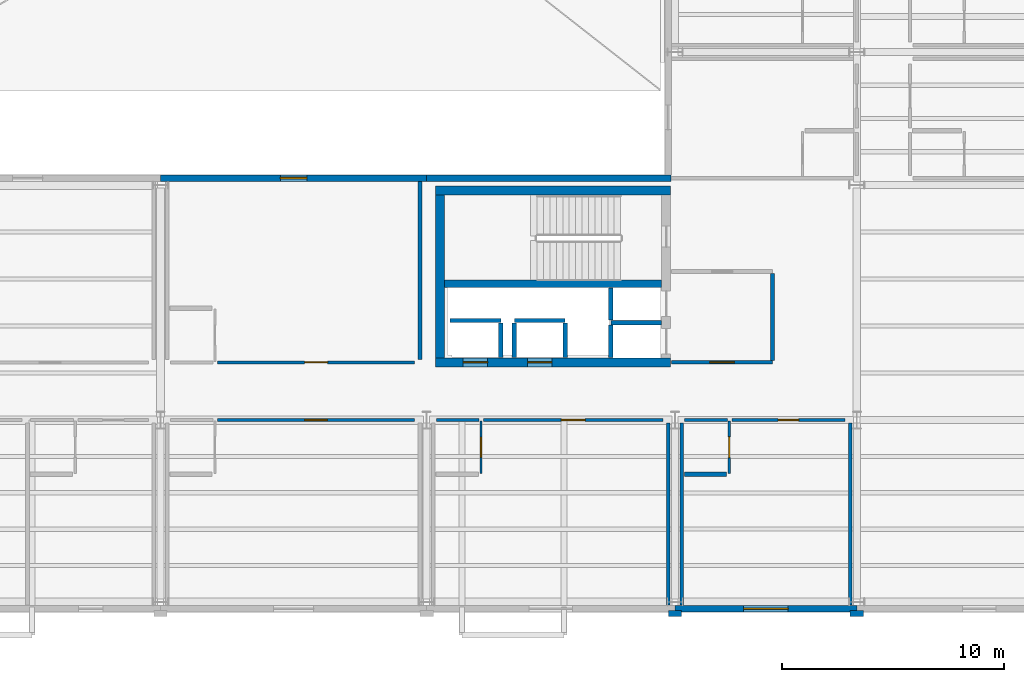
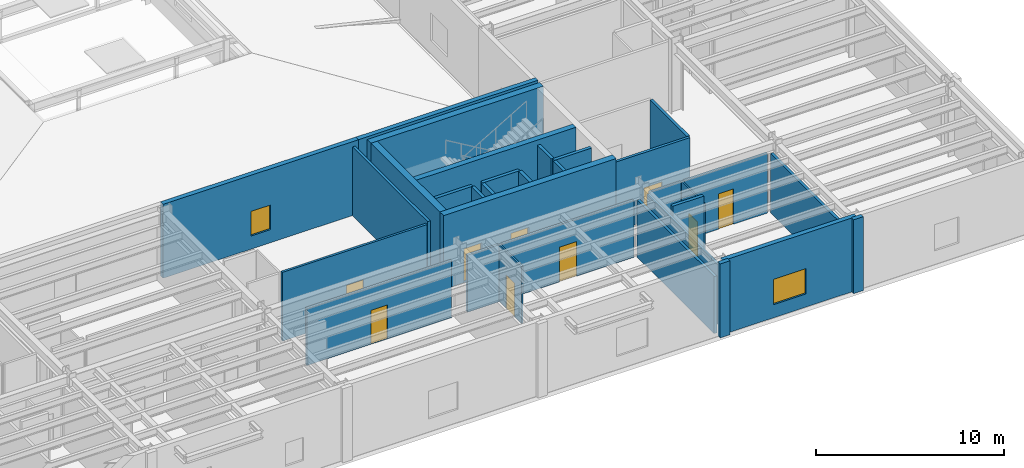
# One storey, part 77 of 91: 32 walls, 9 doors, 2 windows, 11 openings.
"""IFC4 building model written with IfcOpenShell, lengths in metres."""

from ifc_helpers import new_model, si_unit, direction, frame, frame_2d, origin, place, context, subcontext, project, spatial, rectangle, extrude, material, layer, layer_set, type_object, element, fill, save


model = new_model("IFC4")

# Units and contexts
model_context = context("Model", 3, precision=1e-05, world=origin(), true_north=direction((0.0, 1.0)))
body_context = subcontext(model_context, "Body", "Model", "MODEL_VIEW")
ifc_project = project(units=[si_unit("LENGTHUNIT", "METRE"), si_unit("AREAUNIT", "SQUARE_METRE"), si_unit("VOLUMEUNIT", "CUBIC_METRE"), si_unit("PLANEANGLEUNIT", "RADIAN"), si_unit("MASSUNIT", "GRAM", prefix="KILO")], contexts=[model_context])

# Site, building, storey
site_placement = place(None, origin())
site = spatial("IfcSite", under=ifc_project, at=site_placement, CompositionType="ELEMENT")
building_placement = place(site_placement, origin())
building = spatial("IfcBuilding", under=site, at=building_placement, Name="Sollismere Congress Hotel", CompositionType="ELEMENT")
storey_placement = place(building_placement, frame((0.0, 0.0, 10.800048828125)))
storey = spatial("IfcBuildingStorey", under=building, at=storey_placement, Name="L02", CompositionType="ELEMENT", Elevation=10.800048828125)

# Wall, opening, window
ifc_material_1 = material(Name="Colorado Buff Sandstone Rainscreen on Insulated Backup", Category="masonry")
ifc_layer_1 = layer(ifc_material_1, 0.284912109375, Name="Colorado Buff Sandstone Rainscreen on Insulated Backup")
ifc_layer_set_1 = layer_set([ifc_layer_1], Name="Colorado Buff Sandstone Rainscreen on Insulated Backup")
wall_type_1 = type_object("IfcWallType", Name="WL-EXT285", PredefinedType="STANDARD", material=ifc_layer_set_1)
wall_1_placement = place(storey_placement, frame((147.199951171875, -0.31005859375, 0.0), z_axis=(0.0, 0.0, 1.0), x_axis=(1.0, 0.0, 0.0)))
wall_1 = element("IfcWall", 1, at=wall_1_placement, inside=storey, type_object=wall_type_1, Name="Exterior wall EW-L02-350", PredefinedType="STANDARD", context=body_context, shape_type="SweptSolid", body=[
    extrude(rectangle(XDim=8.199951171875, YDim=0.284912109375, at=frame_2d((4.10009765625, 0.0))), origin(), (0.0, 0.0, 1.0), 4.800048828125),
])
opening_1_placement = place(wall_1_placement, frame((3.10009765625, 0.0, 0.85009765625)))
opening_1 = element("IfcOpeningElement", 2, at=opening_1_placement, cuts=wall_1, Name="Opening W-L02-281", PredefinedType="OPENING", context=body_context, shape_type="SweptSolid", body=[
    extrude(rectangle(XDim=2.0, YDim=1.64990234375, at=frame_2d((1.0, 0.824951171875))), frame((0.0, 0.15234375, 0.0), z_axis=(0.0, -1.0, 0.0), x_axis=(1.0, 0.0, 0.0)), (0.0, 0.0, 1.0), 0.304931640625),
])
ifc_material_2 = material(Name="Thermally Broken Bronze Aluminum & Low-E Glass", Category="aluminium")
window_type_1 = type_object("IfcWindowType", Name="WN-P200x165", PartitioningType="SINGLE_PANEL", PredefinedType="WINDOW", material=ifc_material_2)
window_1_placement = place(opening_1_placement, origin())
window_1 = element("IfcWindow", 3, at=window_1_placement, inside=storey, type_object=window_type_1, Name="WIN-W-L02-281", OverallHeight=1.64990234375, OverallWidth=2.0, PartitioningType="SINGLE_PANEL", PredefinedType="WINDOW", context=body_context, shape_type="SweptSolid", body=[
    extrude(rectangle(XDim=2.0, YDim=1.64990234375, at=frame_2d((1.0, 0.824951171875))), frame((0.0, 0.030029296875, 0.0), z_axis=(0.0, -1.0, 0.0), x_axis=(1.0, 0.0, 0.0)), (0.0, 0.0, 1.0), 0.06005859375),
])
fill(opening_1, window_1)

wall_2_placement = place(storey_placement, frame((136.0, 19.110107421875, 0.0), z_axis=(0.0, 0.0, 1.0), x_axis=(-1.0, 0.0, 0.0)))
wall_2 = element("IfcWall", 4, at=wall_2_placement, inside=storey, type_object=wall_type_1, Name="Exterior wall EW-L02-377", PredefinedType="STANDARD", context=body_context, shape_type="SweptSolid", body=[
    extrude(rectangle(XDim=12.0, YDim=0.284912109375, at=frame_2d((6.0, 0.0))), origin(), (0.0, 0.0, 1.0), 4.800048828125),
])
opening_2_placement = place(wall_2_placement, frame((5.39990234375, 0.0, 0.85009765625)))
opening_2 = element("IfcOpeningElement", 5, at=opening_2_placement, cuts=wall_2, Name="Opening W-L02-298", PredefinedType="OPENING", context=body_context, shape_type="SweptSolid", body=[
    extrude(rectangle(XDim=1.199951171875, YDim=1.60009765625, at=frame_2d((0.60009765625, 0.800048828125))), frame((0.0, 0.15234375, 0.0), z_axis=(0.0, -1.0, 0.0), x_axis=(1.0, 0.0, 0.0)), (0.0, 0.0, 1.0), 0.304931640625),
])
window_type_2 = type_object("IfcWindowType", Name="WN-P120x160", PartitioningType="SINGLE_PANEL", PredefinedType="WINDOW", material=ifc_material_2)
window_2_placement = place(opening_2_placement, origin())
window_2 = element("IfcWindow", 6, at=window_2_placement, inside=storey, type_object=window_type_2, Name="WIN-W-L02-298", OverallHeight=1.60009765625, OverallWidth=1.199951171875, PartitioningType="SINGLE_PANEL", PredefinedType="WINDOW", context=body_context, shape_type="SweptSolid", body=[
    extrude(rectangle(XDim=1.199951171875, YDim=1.60009765625, at=frame_2d((0.60009765625, 0.800048828125))), frame((0.0, 0.030029296875, 0.0), z_axis=(0.0, -1.0, 0.0), x_axis=(1.0, 0.0, 0.0)), (0.0, 0.0, 1.0), 0.06005859375),
])
fill(opening_2, window_2)

# Walls
wall_3_placement = place(storey_placement, frame((147.030029296875, 19.110107421875, 0.0), z_axis=(0.0, 0.0, 1.0), x_axis=(-1.0, 0.0, 0.0)))
element("IfcWall", 7, at=wall_3_placement, inside=storey, type_object=wall_type_1, Name="Exterior wall EW-L02-378", PredefinedType="STANDARD", context=body_context, shape_type="SweptSolid", body=[
    extrude(rectangle(XDim=11.030029296875, YDim=0.284912109375, at=frame_2d((5.51513671875, 0.0))), origin(), (0.0, 0.0, 1.0), 4.800048828125),
])
ifc_material_3 = material(Name="Carved Travertine Pilaster & Frieze Assembly", Category="masonry")
ifc_layer_2 = layer(ifc_material_3, 0.260009765625, Name="Carved Travertine Pilaster & Frieze Assembly")
ifc_layer_set_2 = layer_set([ifc_layer_2], Name="Carved Travertine Pilaster & Frieze Assembly")
wall_type_2 = type_object("IfcWallType", Name="WL-PIL280", PredefinedType="ELEMENTEDWALL", material=ifc_layer_set_2)
wall_4_placement = place(storey_placement, frame((146.89990234375, -0.52001953125, 0.0), z_axis=(0.0, 0.0, 1.0), x_axis=(1.0, 0.0, 0.0)))
element("IfcWall", 8, at=wall_4_placement, inside=storey, type_object=wall_type_2, Name="Exterior wall EW-L02-351", PredefinedType="ELEMENTEDWALL", context=body_context, shape_type="SweptSolid", body=[
    extrude(rectangle(XDim=0.60009765625, YDim=0.260009765625, at=frame_2d((0.300048828125, 0.0))), origin(), (0.0, 0.0, 1.0), 4.800048828125),
])
wall_5_placement = place(storey_placement, frame((155.10009765625, -0.52001953125, 0.0), z_axis=(0.0, 0.0, 1.0), x_axis=(1.0, 0.0, 0.0)))
element("IfcWall", 9, at=wall_5_placement, inside=storey, type_object=wall_type_2, Name="Exterior wall EW-L02-353", PredefinedType="ELEMENTEDWALL", context=body_context, shape_type="SweptSolid", body=[
    extrude(rectangle(XDim=0.599853515625, YDim=0.260009765625, at=frame_2d((0.2998046875, 0.0))), origin(), (0.0, 0.0, 1.0), 4.800048828125),
])
ifc_material_4 = material(Name="Moisture-Resistant Shaft Gypsum Assembly")
ifc_layer_3 = layer(ifc_material_4, 0.199951171875, Name="Moisture-Resistant Shaft Gypsum Assembly")
ifc_layer_set_3 = layer_set([ifc_layer_3], Name="Moisture-Resistant Shaft Gypsum Assembly")
wall_type_3 = type_object("IfcWallType", Name="WL-PLM200", PredefinedType="PLUMBINGWALL", material=ifc_layer_set_3)
wall_6_placement = place(storey_placement, frame((137.054931640625, 12.68994140625, 0.0), z_axis=(0.0, 0.0, 1.0), x_axis=(1.0, 0.0, 0.0)))
element("IfcWall", 10, at=wall_6_placement, inside=storey, type_object=wall_type_3, Name="Interior wall IW-L02-0054", PredefinedType="PLUMBINGWALL", context=body_context, shape_type="SweptSolid", body=[
    extrude(rectangle(XDim=2.2900390625, YDim=0.199951171875, at=frame_2d((1.14501953125, 0.0))), origin(), (0.0, 0.0, 1.0), 4.474853515625),
])
wall_7_placement = place(storey_placement, frame((139.344970703125, 11.011962890625, 0.0), z_axis=(0.0, 0.0, 1.0), x_axis=(0.0, 1.0, 0.0)))
element("IfcWall", 11, at=wall_7_placement, inside=storey, type_object=wall_type_3, Name="Interior wall IW-L02-0055", PredefinedType="PLUMBINGWALL", context=body_context, shape_type="SweptSolid", body=[
    extrude(rectangle(XDim=1.56591796875, YDim=0.199951171875, at=frame_2d((0.782958984375, 0.0))), origin(), (0.0, 0.0, 1.0), 4.474853515625),
])
wall_8_placement = place(storey_placement, frame((139.955078125, 12.68994140625, 0.0), z_axis=(0.0, 0.0, 1.0), x_axis=(1.0, 0.0, 0.0)))
element("IfcWall", 12, at=wall_8_placement, inside=storey, type_object=wall_type_3, Name="Interior wall IW-L02-0056", PredefinedType="PLUMBINGWALL", context=body_context, shape_type="SweptSolid", body=[
    extrude(rectangle(XDim=2.2900390625, YDim=0.199951171875, at=frame_2d((1.14501953125, 0.0))), origin(), (0.0, 0.0, 1.0), 4.474853515625),
])
for number, where, z_axis, x_axis, name in (
    (13, (139.955078125, 11.011962890625, 0.0), (0.0, 0.0, 1.0), (0.0, 1.0, 0.0), "Interior wall IW-L02-0057"),
    (14, (142.2451171875, 11.011962890625, 0.0), (0.0, 0.0, 1.0), (0.0, 1.0, 0.0), "Interior wall IW-L02-0058"),
):
    element("IfcWall", number, at=place(storey_placement, frame(where, z_axis=z_axis, x_axis=x_axis)), inside=storey, type_object=wall_type_3, Name=name, PredefinedType="PLUMBINGWALL", context=body_context, shape_type="SweptSolid", body=[
        extrude(rectangle(XDim=1.56591796875, YDim=0.199951171875, at=frame_2d((0.782958984375, 0.0))), origin(), (0.0, 0.0, 1.0), 4.474853515625),
    ])
wall_9_placement = place(storey_placement, frame((144.31005859375, 12.594970703125, 0.0), z_axis=(0.0, 0.0, 1.0), x_axis=(1.0, 0.0, 0.0)))
element("IfcWall", 15, at=wall_9_placement, inside=storey, type_object=wall_type_3, Name="Interior wall IW-L02-0059", PredefinedType="PLUMBINGWALL", context=body_context, shape_type="SweptSolid", body=[
    extrude(rectangle(XDim=2.27783203125, YDim=0.199951171875, at=frame_2d((1.138916015625, 0.0))), origin(), (0.0, 0.0, 1.0), 4.474853515625),
])
wall_10_placement = place(storey_placement, frame((144.31005859375, 11.011962890625, 0.0), z_axis=(0.0, 0.0, 1.0), x_axis=(0.0, 1.0, 0.0)))
element("IfcWall", 16, at=wall_10_placement, inside=storey, type_object=wall_type_3, Name="Interior wall IW-L02-0060", PredefinedType="PLUMBINGWALL", context=body_context, shape_type="SweptSolid", body=[
    extrude(rectangle(XDim=1.470947265625, YDim=0.199951171875, at=frame_2d((0.7353515625, 0.0))), origin(), (0.0, 0.0, 1.0), 4.474853515625),
])
wall_11_placement = place(storey_placement, frame((144.31005859375, 12.70703125, 0.0), z_axis=(0.0, 0.0, 1.0), x_axis=(0.0, 1.0, 0.0)))
element("IfcWall", 17, at=wall_11_placement, inside=storey, type_object=wall_type_3, Name="Interior wall IW-L02-0061", PredefinedType="PLUMBINGWALL", context=body_context, shape_type="SweptSolid", body=[
    extrude(rectangle(XDim=1.4560546875, YDim=0.199951171875, at=frame_2d((0.72802734375, 0.0))), origin(), (0.0, 0.0, 1.0), 4.474853515625),
])
wall_12_placement = place(storey_placement, frame((147.6201171875, 5.75, 0.0), z_axis=(0.0, 0.0, 1.0), x_axis=(1.0, 0.0, 0.0)))
element("IfcWall", 18, at=wall_12_placement, inside=storey, type_object=wall_type_3, Name="Interior wall IW-L02-1132", PredefinedType="PLUMBINGWALL", context=body_context, shape_type="SweptSolid", body=[
    extrude(rectangle(XDim=1.909912109375, YDim=0.199951171875, at=frame_2d((0.955078125, 0.0))), origin(), (0.0, 0.0, 1.0), 4.474853515625),
])

# Wall, opening, door
ifc_material_5 = material(Name="Moisture-Resistant Gypsum Partition")
ifc_layer_4 = layer(ifc_material_5, 0.10009765625, Name="Moisture-Resistant Gypsum Partition")
ifc_layer_set_4 = layer_set([ifc_layer_4], Name="Moisture-Resistant Gypsum Partition")
wall_type_4 = type_object("IfcWallType", Name="WL-PRT100", PredefinedType="PARTITIONING", material=ifc_layer_set_4)
wall_13_placement = place(storey_placement, frame((138.449951171875, 5.7900390625, 0.0), z_axis=(0.0, 0.0, 1.0), x_axis=(0.0, 1.0, 0.0)))
wall_13 = element("IfcWall", 19, at=wall_13_placement, inside=storey, type_object=wall_type_4, Name="Interior wall IW-L02-1125", PredefinedType="PARTITIONING", context=body_context, shape_type="SweptSolid", body=[
    extrude(rectangle(XDim=2.369873046875, YDim=0.10009765625, at=frame_2d((1.18505859375, 0.0))), origin(), (0.0, 0.0, 1.0), 3.712890625),
])
opening_3_placement = place(wall_13_placement, frame((0.73291015625, 0.0, 0.0)))
opening_3 = element("IfcOpeningElement", 20, at=opening_3_placement, cuts=wall_13, Name="Opening D-L02-0398", PredefinedType="OPENING", context=body_context, shape_type="SweptSolid", body=[
    extrude(rectangle(XDim=0.905029296875, YDim=2.179931640625, at=frame_2d((0.45263671875, 1.08984375))), frame((0.0, 0.06005859375, 0.0), z_axis=(0.0, -1.0, 0.0), x_axis=(1.0, 0.0, 0.0)), (0.0, 0.0, 1.0), 0.1201171875),
])
ifc_material_6 = material(Name="Moisture-Sealed Timber Bathroom Door", Category="wood")
door_type_1 = type_object("IfcDoorType", Name="DR-BT06", OperationType="NOTDEFINED", PredefinedType="DOOR", material=ifc_material_6)
door_1_placement = place(opening_3_placement, origin())
door_1 = element("IfcDoor", 21, at=door_1_placement, inside=storey, type_object=door_type_1, Name="En-suite bathroom door D-L02-0398", OperationType="SINGLE_SWING_LEFT", OverallHeight=2.179931640625, OverallWidth=0.905029296875, PredefinedType="DOOR", context=body_context, shape_type="SweptSolid", body=[
    extrude(rectangle(XDim=0.905029296875, YDim=2.179931640625, at=frame_2d((0.45263671875, 1.08984375))), frame((0.0, 0.02490234375, 0.0), z_axis=(0.0, -1.0, 0.0), x_axis=(1.0, 0.0, 0.0)), (0.0, 0.0, 1.0), 0.050048828125),
])
fill(opening_3, door_1)

wall_14_placement = place(storey_placement, frame((149.64990234375, 5.7900390625, 0.0), z_axis=(0.0, 0.0, 1.0), x_axis=(0.0, 1.0, 0.0)))
wall_14 = element("IfcWall", 22, at=wall_14_placement, inside=storey, type_object=wall_type_4, Name="Interior wall IW-L02-1131", PredefinedType="PARTITIONING", context=body_context, shape_type="SweptSolid", body=[
    extrude(rectangle(XDim=2.369873046875, YDim=0.10009765625, at=frame_2d((1.18505859375, 0.0))), origin(), (0.0, 0.0, 1.0), 3.887939453125),
])
opening_4_placement = place(wall_14_placement, frame((0.719970703125, 0.0, 0.0)))
opening_4 = element("IfcOpeningElement", 23, at=opening_4_placement, cuts=wall_14, Name="Opening D-L02-0400", PredefinedType="OPENING", context=body_context, shape_type="SweptSolid", body=[
    extrude(rectangle(XDim=0.929931640625, YDim=2.219970703125, at=frame_2d((0.46484375, 1.10986328125))), frame((0.0, 0.06005859375, 0.0), z_axis=(0.0, -1.0, 0.0), x_axis=(1.0, 0.0, 0.0)), (0.0, 0.0, 1.0), 0.1201171875),
])
door_type_2 = type_object("IfcDoorType", Name="DR-BT07", OperationType="NOTDEFINED", PredefinedType="DOOR", material=ifc_material_6)
door_2_placement = place(opening_4_placement, origin())
door_2 = element("IfcDoor", 24, at=door_2_placement, inside=storey, type_object=door_type_2, Name="En-suite bathroom door D-L02-0400", OperationType="SINGLE_SWING_LEFT", OverallHeight=2.219970703125, OverallWidth=0.929931640625, PredefinedType="DOOR", context=body_context, shape_type="SweptSolid", body=[
    extrude(rectangle(XDim=0.929931640625, YDim=2.219970703125, at=frame_2d((0.46484375, 1.10986328125))), frame((0.0, 0.02490234375, 0.0), z_axis=(0.0, -1.0, 0.0), x_axis=(1.0, 0.0, 0.0)), (0.0, 0.0, 1.0), 0.050048828125),
])
fill(opening_4, door_2)

ifc_material_7 = material(Name="Fire-Rated Gypsum Partition")
ifc_layer_5 = layer(ifc_material_7, 0.139892578125, Name="Fire-Rated Gypsum Partition")
ifc_layer_set_5 = layer_set([ifc_layer_5], Name="Fire-Rated Gypsum Partition")
wall_type_5 = type_object("IfcWallType", Name="WL-PRT140R", PredefinedType="PARTITIONING", material=ifc_layer_set_5)
wall_15_placement = place(storey_placement, frame((126.570068359375, 8.199951171875, 0.0), z_axis=(0.0, 0.0, 1.0), x_axis=(1.0, 0.0, 0.0)))
wall_15 = element("IfcWall", 25, at=wall_15_placement, inside=storey, type_object=wall_type_5, Name="Interior wall IW-L02-1110", PredefinedType="PARTITIONING", context=body_context, shape_type="SweptSolid", body=[
    extrude(rectangle(XDim=8.889892578125, YDim=0.139892578125, at=frame_2d((4.44482421875, 0.0))), origin(), (0.0, 0.0, 1.0), 3.712890625),
])
opening_5_placement = place(wall_15_placement, frame((3.93994140625, 0.0, 0.0)))
opening_5 = element("IfcOpeningElement", 26, at=opening_5_placement, cuts=wall_15, Name="Opening D-L02-0393", PredefinedType="OPENING", context=body_context, shape_type="SweptSolid", body=[
    extrude(rectangle(XDim=1.010009765625, YDim=2.199951171875, at=frame_2d((0.5048828125, 1.10009765625))), frame((0.0, 0.079833984375, 0.0), z_axis=(0.0, -1.0, 0.0), x_axis=(1.0, 0.0, 0.0)), (0.0, 0.0, 1.0), 0.159912109375),
])
ifc_material_8 = material(Name="Solid-Core Acoustic Walnut Guestroom Entry Door")
door_type_3 = type_object("IfcDoorType", Name="DR-KY04", OperationType="NOTDEFINED", PredefinedType="DOOR", material=ifc_material_8)
door_3_placement = place(opening_5_placement, origin())
door_3 = element("IfcDoor", 27, at=door_3_placement, inside=storey, type_object=door_type_3, Name="Hotel room entry door D-L02-0393", OperationType="SINGLE_SWING_RIGHT", OverallHeight=2.199951171875, OverallWidth=1.010009765625, PredefinedType="DOOR", context=body_context, shape_type="SweptSolid", body=[
    extrude(rectangle(XDim=1.010009765625, YDim=2.199951171875, at=frame_2d((0.5048828125, 1.10009765625))), frame((0.0, 0.02490234375, 0.0), z_axis=(0.0, -1.0, 0.0), x_axis=(1.0, 0.0, 0.0)), (0.0, 0.0, 1.0), 0.050048828125),
])
fill(opening_5, door_3)

wall_16_placement = place(storey_placement, frame((126.570068359375, 10.800048828125, 0.0), z_axis=(0.0, 0.0, 1.0), x_axis=(1.0, 0.0, 0.0)))
wall_16 = element("IfcWall", 28, at=wall_16_placement, inside=storey, type_object=wall_type_5, Name="Interior wall IW-L02-1116", PredefinedType="PARTITIONING", context=body_context, shape_type="SweptSolid", body=[
    extrude(rectangle(XDim=8.889892578125, YDim=0.139892578125, at=frame_2d((4.44482421875, 0.0))), origin(), (0.0, 0.0, 1.0), 4.474853515625),
])
opening_6_placement = place(wall_16_placement, frame((3.925048828125, 0.0, 0.0)))
opening_6 = element("IfcOpeningElement", 29, at=opening_6_placement, cuts=wall_16, Name="Opening D-L02-0395", PredefinedType="OPENING", context=body_context, shape_type="SweptSolid", body=[
    extrude(rectangle(XDim=1.0400390625, YDim=2.25, at=frame_2d((0.52001953125, 1.125))), frame((0.0, 0.079833984375, 0.0), z_axis=(0.0, -1.0, 0.0), x_axis=(1.0, 0.0, 0.0)), (0.0, 0.0, 1.0), 0.159912109375),
])
door_type_4 = type_object("IfcDoorType", Name="DR-KY05", OperationType="NOTDEFINED", PredefinedType="DOOR", material=ifc_material_8)
door_4_placement = place(opening_6_placement, origin())
door_4 = element("IfcDoor", 30, at=door_4_placement, inside=storey, type_object=door_type_4, Name="Hotel room entry door D-L02-0395", OperationType="SINGLE_SWING_RIGHT", OverallHeight=2.25, OverallWidth=1.0400390625, PredefinedType="DOOR", context=body_context, shape_type="SweptSolid", body=[
    extrude(rectangle(XDim=1.0400390625, YDim=2.25, at=frame_2d((0.52001953125, 1.125))), frame((0.0, 0.02490234375, 0.0), z_axis=(0.0, -1.0, 0.0), x_axis=(1.0, 0.0, 0.0)), (0.0, 0.0, 1.0), 0.050048828125),
])
fill(opening_6, door_4)

# Wall
wall_17_placement = place(storey_placement, frame((136.43994140625, 8.199951171875, 0.0), z_axis=(0.0, 0.0, 1.0), x_axis=(1.0, 0.0, 0.0)))
element("IfcWall", 31, at=wall_17_placement, inside=storey, type_object=wall_type_5, Name="Interior wall IW-L02-1121", PredefinedType="PARTITIONING", context=body_context, shape_type="SweptSolid", body=[
    extrude(rectangle(XDim=1.93017578125, YDim=0.139892578125, at=frame_2d((0.965087890625, 0.0))), origin(), (0.0, 0.0, 1.0), 3.712890625),
])

# Wall, opening, door
wall_18_placement = place(storey_placement, frame((138.570068359375, 8.199951171875, 0.0), z_axis=(0.0, 0.0, 1.0), x_axis=(1.0, 0.0, 0.0)))
wall_18 = element("IfcWall", 32, at=wall_18_placement, inside=storey, type_object=wall_type_5, Name="Interior wall IW-L02-1122", PredefinedType="PARTITIONING", context=body_context, shape_type="SweptSolid", body=[
    extrude(rectangle(XDim=8.08984375, YDim=0.139892578125, at=frame_2d((4.044921875, 0.0))), origin(), (0.0, 0.0, 1.0), 3.712890625),
])
opening_7_placement = place(wall_18_placement, frame((3.510009765625, 0.0, 0.0)))
opening_7 = element("IfcOpeningElement", 33, at=opening_7_placement, cuts=wall_18, Name="Opening D-L02-0397", PredefinedType="OPENING", context=body_context, shape_type="SweptSolid", body=[
    extrude(rectangle(XDim=1.070068359375, YDim=2.25, at=frame_2d((0.53515625, 1.125))), frame((0.0, 0.079833984375, 0.0), z_axis=(0.0, -1.0, 0.0), x_axis=(1.0, 0.0, 0.0)), (0.0, 0.0, 1.0), 0.159912109375),
])
door_type_5 = type_object("IfcDoorType", Name="DR-KY06", OperationType="NOTDEFINED", PredefinedType="DOOR", material=ifc_material_8)
door_5_placement = place(opening_7_placement, origin())
door_5 = element("IfcDoor", 34, at=door_5_placement, inside=storey, type_object=door_type_5, Name="Hotel room entry door D-L02-0397", OperationType="SINGLE_SWING_RIGHT", OverallHeight=2.25, OverallWidth=1.070068359375, PredefinedType="DOOR", context=body_context, shape_type="SweptSolid", body=[
    extrude(rectangle(XDim=1.070068359375, YDim=2.25, at=frame_2d((0.53515625, 1.125))), frame((0.0, 0.02490234375, 0.0), z_axis=(0.0, -1.0, 0.0), x_axis=(1.0, 0.0, 0.0)), (0.0, 0.0, 1.0), 0.050048828125),
])
fill(opening_7, door_5)

# Wall
wall_19_placement = place(storey_placement, frame((147.639892578125, 8.199951171875, 0.0), z_axis=(0.0, 0.0, 1.0), x_axis=(1.0, 0.0, 0.0)))
element("IfcWall", 35, at=wall_19_placement, inside=storey, type_object=wall_type_5, Name="Interior wall IW-L02-1127", PredefinedType="PARTITIONING", context=body_context, shape_type="SweptSolid", body=[
    extrude(rectangle(XDim=1.93017578125, YDim=0.139892578125, at=frame_2d((0.965087890625, 0.0))), origin(), (0.0, 0.0, 1.0), 3.887939453125),
])

# Wall, opening, door
wall_20_placement = place(storey_placement, frame((149.77001953125, 8.199951171875, 0.0), z_axis=(0.0, 0.0, 1.0), x_axis=(1.0, 0.0, 0.0)))
wall_20 = element("IfcWall", 36, at=wall_20_placement, inside=storey, type_object=wall_type_5, Name="Interior wall IW-L02-1128", PredefinedType="PARTITIONING", context=body_context, shape_type="SweptSolid", body=[
    extrude(rectangle(XDim=5.090087890625, YDim=0.139892578125, at=frame_2d((2.544921875, 0.0))), origin(), (0.0, 0.0, 1.0), 3.887939453125),
])
opening_8_placement = place(wall_20_placement, frame((2.0849609375, 0.0, 0.0)))
opening_8 = element("IfcOpeningElement", 37, at=opening_8_placement, cuts=wall_20, Name="Opening D-L02-0399", PredefinedType="OPENING", context=body_context, shape_type="SweptSolid", body=[
    extrude(rectangle(XDim=0.919921875, YDim=2.300048828125, at=frame_2d((0.4599609375, 1.14990234375))), frame((0.0, 0.079833984375, 0.0), z_axis=(0.0, -1.0, 0.0), x_axis=(1.0, 0.0, 0.0)), (0.0, 0.0, 1.0), 0.159912109375),
])
door_type_6 = type_object("IfcDoorType", Name="DR-KY07", OperationType="NOTDEFINED", PredefinedType="DOOR", material=ifc_material_8)
door_6_placement = place(opening_8_placement, origin())
door_6 = element("IfcDoor", 38, at=door_6_placement, inside=storey, type_object=door_type_6, Name="Hotel room entry door D-L02-0399", OperationType="SINGLE_SWING_RIGHT", OverallHeight=2.300048828125, OverallWidth=0.919921875, PredefinedType="DOOR", context=body_context, shape_type="SweptSolid", body=[
    extrude(rectangle(XDim=0.919921875, YDim=2.300048828125, at=frame_2d((0.4599609375, 1.14990234375))), frame((0.0, 0.02490234375, 0.0), z_axis=(0.0, -1.0, 0.0), x_axis=(1.0, 0.0, 0.0)), (0.0, 0.0, 1.0), 0.050048828125),
])
fill(opening_8, door_6)

ifc_material_9 = material(Name="Fire-Rated Acoustic Gypsum Partition")
ifc_layer_6 = layer(ifc_material_9, 0.1650390625, Name="Fire-Rated Acoustic Gypsum Partition")
ifc_layer_set_6 = layer_set([ifc_layer_6], Name="Fire-Rated Acoustic Gypsum Partition")
wall_type_6 = type_object("IfcWallType", Name="WL-PRT165R", PredefinedType="PARTITIONING", material=ifc_layer_set_6)
wall_21_placement = place(storey_placement, frame((147.050048828125, 10.800048828125, 0.0), z_axis=(0.0, 0.0, 1.0), x_axis=(1.0, 0.0, 0.0)))
wall_21 = element("IfcWall", 39, at=wall_21_placement, inside=storey, type_object=wall_type_6, Name="Interior wall IW-L02-0062", PredefinedType="PARTITIONING", context=body_context, shape_type="SweptSolid", body=[
    extrude(rectangle(XDim=4.550048828125, YDim=0.1650390625, at=frame_2d((2.27490234375, 0.0))), origin(), (0.0, 0.0, 1.0), 4.474853515625),
])
opening_9_placement = place(wall_21_placement, frame((1.72509765625, 0.0, 0.0)))
opening_9 = element("IfcOpeningElement", 40, at=opening_9_placement, cuts=wall_21, Name="Opening D-FFL-L02", PredefinedType="OPENING", context=body_context, shape_type="SweptSolid", body=[
    extrude(rectangle(XDim=1.10009765625, YDim=2.199951171875, at=frame_2d((0.550048828125, 1.10009765625))), frame((0.0, 0.092529296875, 0.0), z_axis=(0.0, -1.0, 0.0), x_axis=(1.0, 0.0, 0.0)), (0.0, 0.0, 1.0), 0.18505859375),
])
ifc_material_10 = material(Name="Smoke-Barrier Rated Timber-Clad Steel Door", Category="steel")
door_type_7 = type_object("IfcDoorType", Name="DR-FFL110", OperationType="NOTDEFINED", PredefinedType="DOOR", material=ifc_material_10)
door_7_placement = place(opening_9_placement, origin())
door_7 = element("IfcDoor", 41, at=door_7_placement, inside=storey, type_object=door_type_7, Name="Firefighting lobby smoke door D-FFL-L02", OperationType="SINGLE_SWING_LEFT", OverallHeight=2.199951171875, OverallWidth=1.10009765625, PredefinedType="DOOR", context=body_context, shape_type="SweptSolid", body=[
    extrude(rectangle(XDim=1.10009765625, YDim=2.199951171875, at=frame_2d((0.550048828125, 1.10009765625))), frame((0.0, 0.02490234375, 0.0), z_axis=(0.0, -1.0, 0.0), x_axis=(1.0, 0.0, 0.0)), (0.0, 0.0, 1.0), 0.050048828125),
])
fill(opening_9, door_7)

# Walls
wall_22_placement = place(storey_placement, frame((151.60009765625, 10.89453125, 0.0), z_axis=(0.0, 0.0, 1.0), x_axis=(0.0, 1.0, 0.0)))
element("IfcWall", 42, at=wall_22_placement, inside=storey, type_object=wall_type_6, Name="Interior wall IW-L02-0064", PredefinedType="PARTITIONING", context=body_context, shape_type="SweptSolid", body=[
    extrude(rectangle(XDim=3.910888671875, YDim=0.1650390625, at=frame_2d((1.95556640625, 0.0))), origin(), (0.0, 0.0, 1.0), 4.474853515625),
])
wall_23_placement = place(storey_placement, frame((135.699951171875, 10.93994140625, 0.0), z_axis=(0.0, 0.0, 1.0), x_axis=(0.0, 1.0, 0.0)))
element("IfcWall", 43, at=wall_23_placement, inside=storey, type_object=wall_type_6, Name="Interior wall IW-L02-1118", PredefinedType="PARTITIONING", context=body_context, shape_type="SweptSolid", body=[
    extrude(rectangle(XDim=8.012451171875, YDim=0.1650390625, at=frame_2d((4.00634765625, 0.0))), origin(), (0.0, 0.0, 1.0), 4.474853515625),
])
wall_24_placement = place(storey_placement, frame((146.89990234375, -0.152587890625, 0.0), z_axis=(0.0, 0.0, 1.0), x_axis=(0.0, 1.0, 0.0)))
element("IfcWall", 44, at=wall_24_placement, inside=storey, type_object=wall_type_6, Name="Interior wall IW-L02-1124", PredefinedType="PARTITIONING", context=body_context, shape_type="SweptSolid", body=[
    extrude(rectangle(XDim=8.212646484375, YDim=0.1650390625, at=frame_2d((4.1064453125, 0.0))), origin(), (0.0, 0.0, 1.0), 3.712890625),
])
for number, where, z_axis, x_axis, name in (
    (45, (147.5, -0.152587890625, 0.0), (0.0, 0.0, 1.0), (0.0, 1.0, 0.0), "Interior wall IW-L02-1129"),
    (46, (155.10009765625, -0.152587890625, 0.0), (0.0, 0.0, 1.0), (0.0, 1.0, 0.0), "Interior wall IW-L02-1130"),
):
    element("IfcWall", number, at=place(storey_placement, frame(where, z_axis=z_axis, x_axis=x_axis)), inside=storey, type_object=wall_type_6, Name=name, PredefinedType="PARTITIONING", context=body_context, shape_type="SweptSolid", body=[
        extrude(rectangle(XDim=8.212646484375, YDim=0.1650390625, at=frame_2d((4.1064453125, 0.0))), origin(), (0.0, 0.0, 1.0), 3.864990234375),
    ])
ifc_material_11 = material(Name="Concrete C50/60", Category="concrete")
ifc_layer_7 = layer(ifc_material_11, 0.35009765625, Name="Concrete C50/60")
ifc_layer_set_7 = layer_set([ifc_layer_7], Name="Concrete C50/60")
wall_type_7 = type_object("IfcWallType", Name="WL-SHR350", PredefinedType="SHEAR", material=ifc_layer_set_7)
wall_25_placement = place(storey_placement, frame((136.800048828125, 14.35009765625, 0.0), z_axis=(0.0, 0.0, 1.0), x_axis=(1.0, 0.0, 0.0)))
element("IfcWall", 47, at=wall_25_placement, inside=storey, type_object=wall_type_7, Name="Interior wall IW-L02-0053", PredefinedType="SHEAR", context=body_context, shape_type="SweptSolid", body=[
    extrude(rectangle(XDim=9.800048828125, YDim=0.35009765625, at=frame_2d((4.89990234375, 0.0))), origin(), (0.0, 0.0, 1.0), 4.800048828125),
])

# Wall, openings, doors
ifc_layer_8 = layer(ifc_material_11, 0.39990234375, Name="Concrete C50/60")
ifc_layer_set_8 = layer_set([ifc_layer_8], Name="Concrete C50/60")
wall_type_8 = type_object("IfcWallType", Name="WL-SHR400", PredefinedType="SHEAR", material=ifc_layer_set_8)
wall_26_placement = place(storey_placement, frame((136.39990234375, 10.800048828125, 0.0), z_axis=(0.0, 0.0, 1.0), x_axis=(1.0, 0.0, 0.0)))
wall_26 = element("IfcWall", 48, at=wall_26_placement, inside=storey, type_object=wall_type_8, Name="Interior wall IW-L02-0049", PredefinedType="SHEAR", context=body_context, shape_type="SweptSolid", body=[
    extrude(rectangle(XDim=10.60009765625, YDim=0.39990234375, at=frame_2d((5.300048828125, 0.0))), origin(), (0.0, 0.0, 1.0), 4.800048828125),
])
opening_10_placement = place(wall_26_placement, frame((1.25, 0.0, 0.0)))
opening_10 = element("IfcOpeningElement", 49, at=opening_10_placement, cuts=wall_26, Name="Opening LD-LP-01-L02", PredefinedType="OPENING", context=body_context, shape_type="SweptSolid", body=[
    extrude(rectangle(XDim=1.10009765625, YDim=2.199951171875, at=frame_2d((0.550048828125, 1.10009765625))), frame((0.0, 0.2099609375, 0.0), z_axis=(0.0, -1.0, 0.0), x_axis=(1.0, 0.0, 0.0)), (0.0, 0.0, 1.0), 0.419921875),
])
opening_11_placement = place(wall_26_placement, frame((4.14990234375, 0.0, 0.0)))
opening_11 = element("IfcOpeningElement", 50, at=opening_11_placement, cuts=wall_26, Name="Opening LD-LP-02-L02", PredefinedType="OPENING", context=body_context, shape_type="SweptSolid", body=[
    extrude(rectangle(XDim=1.10009765625, YDim=2.199951171875, at=frame_2d((0.550048828125, 1.10009765625))), frame((0.0, 0.2099609375, 0.0), z_axis=(0.0, -1.0, 0.0), x_axis=(1.0, 0.0, 0.0)), (0.0, 0.0, 1.0), 0.419921875),
])
ifc_material_12 = material(Name="Brushed Bronze Sliding Elevator Landing Door")
door_type_8 = type_object("IfcDoorType", Name="DR-LD110", OperationType="NOTDEFINED", PredefinedType="DOOR", material=ifc_material_12)
door_8_placement = place(opening_10_placement, origin())
door_8 = element("IfcDoor", 51, at=door_8_placement, inside=storey, type_object=door_type_8, Name="Elevator landing door LD-LP-01-L02", OperationType="SLIDING_TO_LEFT", OverallHeight=2.199951171875, OverallWidth=1.10009765625, PredefinedType="DOOR", context=body_context, shape_type="SweptSolid", body=[
    extrude(rectangle(XDim=1.10009765625, YDim=2.199951171875, at=frame_2d((0.550048828125, 1.10009765625))), frame((0.0, 0.02490234375, 0.0), z_axis=(0.0, -1.0, 0.0), x_axis=(1.0, 0.0, 0.0)), (0.0, 0.0, 1.0), 0.050048828125),
])
fill(opening_10, door_8)
door_9_placement = place(opening_11_placement, origin())
door_9 = element("IfcDoor", 52, at=door_9_placement, inside=storey, type_object=door_type_8, Name="Elevator landing door LD-LP-02-L02", OperationType="SLIDING_TO_RIGHT", OverallHeight=2.199951171875, OverallWidth=1.10009765625, PredefinedType="DOOR", context=body_context, shape_type="SweptSolid", body=[
    extrude(rectangle(XDim=1.10009765625, YDim=2.199951171875, at=frame_2d((0.550048828125, 1.10009765625))), frame((0.0, 0.02490234375, 0.0), z_axis=(0.0, -1.0, 0.0), x_axis=(1.0, 0.0, 0.0)), (0.0, 0.0, 1.0), 0.050048828125),
])
fill(opening_11, door_9)

# Walls
wall_27_placement = place(storey_placement, frame((147.0, 18.550048828125, 0.0), z_axis=(0.0, 0.0, 1.0), x_axis=(-1.0, 0.0, 0.0)))
element("IfcWall", 53, at=wall_27_placement, inside=storey, type_object=wall_type_8, Name="Interior wall IW-L02-0050", PredefinedType="SHEAR", context=body_context, shape_type="SweptSolid", body=[
    extrude(rectangle(XDim=10.60009765625, YDim=0.39990234375, at=frame_2d((5.300048828125, 0.0))), origin(), (0.0, 0.0, 1.0), 4.800048828125),
])
wall_28_placement = place(storey_placement, frame((136.60009765625, 18.35009765625, 0.0), z_axis=(0.0, 0.0, 1.0), x_axis=(0.0, -1.0, 0.0)))
element("IfcWall", 54, at=wall_28_placement, inside=storey, type_object=wall_type_8, Name="Interior wall IW-L02-0051", PredefinedType="SHEAR", context=body_context, shape_type="SweptSolid", body=[
    extrude(rectangle(XDim=7.35009765625, YDim=0.39990234375, at=frame_2d((3.675048828125, 0.0))), origin(), (0.0, 0.0, 1.0), 4.800048828125),
])

save(model, "model.ifc")
